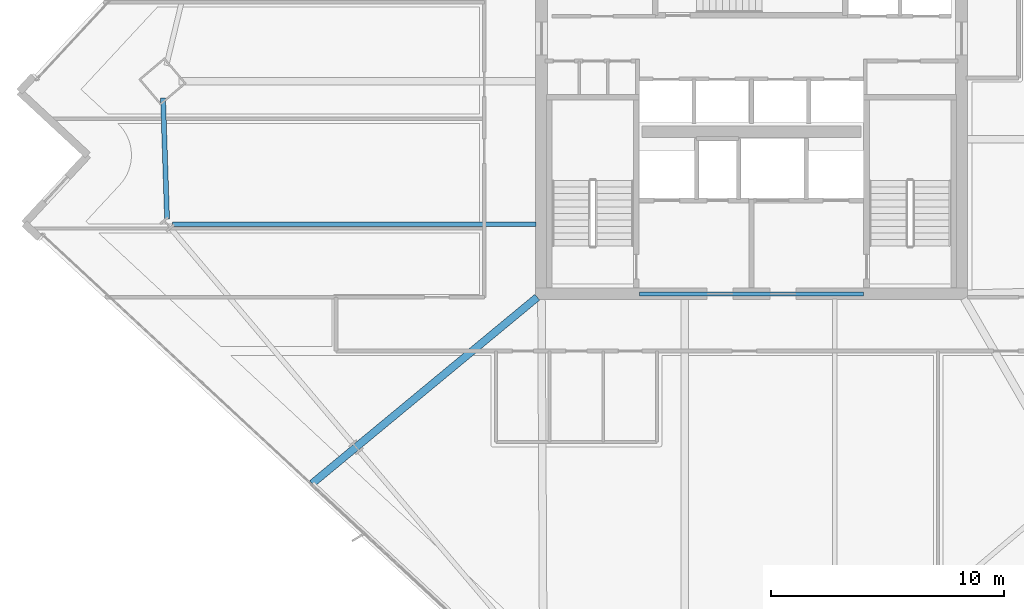
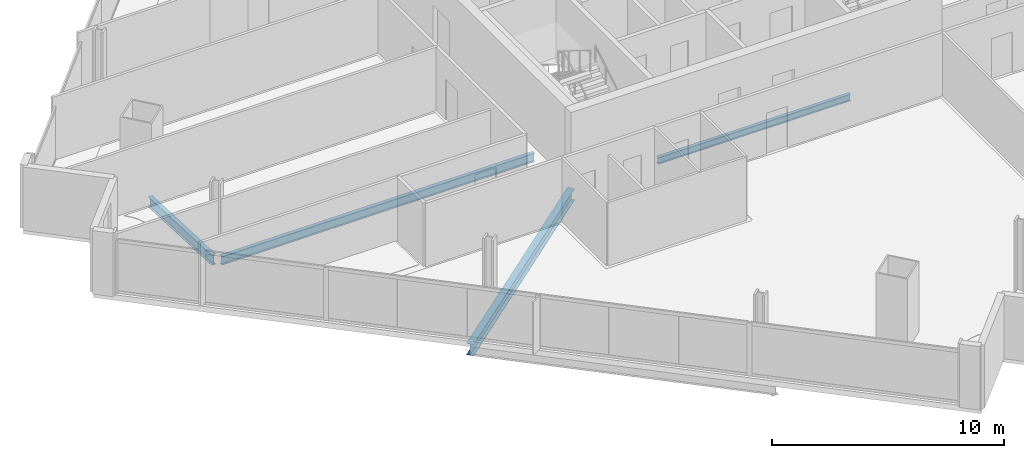
# One storey, part 5 of 32: 4 beams.
"""IFC4 building model written with IfcOpenShell, lengths in metres."""

from ifc_helpers import new_model, si_unit, direction, frame, origin, origin_2d, place, context, subcontext, project, spatial, i_section, extrude, material, material_profile, profile_set, type_object, element, save


model = new_model("IFC4")

# Units and contexts
model_context = context("Model", 3, precision=1e-05, world=origin(), true_north=direction((0.0, 1.0)))
body_context = subcontext(model_context, "Body", "Model", "MODEL_VIEW")
ifc_project = project(units=[si_unit("LENGTHUNIT", "METRE"), si_unit("AREAUNIT", "SQUARE_METRE"), si_unit("VOLUMEUNIT", "CUBIC_METRE"), si_unit("PLANEANGLEUNIT", "RADIAN"), si_unit("MASSUNIT", "GRAM", prefix="KILO")], contexts=[model_context])

# Site, building, storey
site_placement = place(None, origin())
site = spatial("IfcSite", under=ifc_project, at=site_placement, CompositionType="ELEMENT")
building_placement = place(site_placement, origin())
building = spatial("IfcBuilding", under=site, at=building_placement, Name="Haldenkirk Collegiate Tower", CompositionType="ELEMENT")
storey_placement = place(building_placement, frame((0.0, 0.0, 185.699951171875)))
storey = spatial("IfcBuildingStorey", under=building, at=storey_placement, Name="L46", CompositionType="ELEMENT", Elevation=185.699951171875)

# Beams
ifc_material = material(Name="Steel ASTM A992 Grade 50", Category="steel")
ifc_material_profile_1 = material_profile(ifc_material, i_section(OverallWidth=0.324951171875, OverallDepth=0.615966796875, WebThickness=0.013916015625, FlangeThickness=0.021484375, at=origin_2d()), Name="W24X117")
ifc_profile_set_1 = profile_set([ifc_material_profile_1], Name="Steel ASTM A992 Grade 50")
beam_type_1 = type_object("IfcBeamType", Name="BM-GIRDER-W24X117", PredefinedType="BEAM", material=ifc_profile_set_1)
beam_1_placement = place(storey_placement, frame((17.17333984375, 9.868896484375, -0.597900390625), z_axis=(0.770437569665, 0.637515451773, 0.0), x_axis=(-0.637515451773, 0.770437569665, 0.0)))
element("IfcBeam", 1, at=beam_1_placement, inside=storey, type_object=beam_type_1, Name="L46 primary floor girder 15", PredefinedType="BEAM", context=body_context, shape_type="SweptSolid", body=[
    extrude(i_section(OverallWidth=0.324951171875, OverallDepth=0.615966796875, WebThickness=0.013916015625, FlangeThickness=0.021484375, at=origin_2d()), origin(), (0.0, 0.0, 1.0), 12.524658203125),
])
ifc_material_profile_2 = material_profile(ifc_material, i_section(OverallWidth=0.18994140625, OverallDepth=0.45703125, WebThickness=0.009033203125, FlangeThickness=0.014404296875, at=origin_2d()), Name="W18X50")
ifc_profile_set_2 = profile_set([ifc_material_profile_2], Name="Steel ASTM A992 Grade 50")
beam_type_2 = type_object("IfcBeamType", Name="BM-JOIST-W18X50", PredefinedType="JOIST", material=ifc_profile_set_2)
beam_2_placement = place(storey_placement, frame((11.1923828125, 20.9833984375, -0.5185546875), z_axis=(1.0, 0.0, 0.0), x_axis=(0.0, 1.0, 0.0)))
element("IfcBeam", 2, at=beam_2_placement, inside=storey, type_object=beam_type_2, Name="L46 composite floor joist 14", PredefinedType="JOIST", context=body_context, shape_type="SweptSolid", body=[
    extrude(i_section(OverallWidth=0.18994140625, OverallDepth=0.45703125, WebThickness=0.009033203125, FlangeThickness=0.014404296875, at=origin_2d()), origin(), (0.0, 0.0, 1.0), 15.57763671875),
])
ifc_material_profile_3 = material_profile(ifc_material, i_section(OverallWidth=0.1708984375, OverallDepth=0.35595703125, WebThickness=0.007080078125, FlangeThickness=0.01171875, at=origin_2d()), Name="W14X34")
ifc_profile_set_3 = profile_set([ifc_material_profile_3], Name="Steel ASTM A992 Grade 50")
beam_type_3 = type_object("IfcBeamType", Name="BM-LINTEL-W14X34", PredefinedType="LINTEL", material=ifc_profile_set_3)
beam_3_placement = place(storey_placement, frame((31.199951171875, 18.0, -0.468017578125), z_axis=(1.0, 0.0, 0.0), x_axis=(0.0, 1.0, 0.0)))
element("IfcBeam", 3, at=beam_3_placement, inside=storey, type_object=beam_type_3, Name="L46 south core coupling lintel", PredefinedType="LINTEL", context=body_context, shape_type="SweptSolid", body=[
    extrude(i_section(OverallWidth=0.1708984375, OverallDepth=0.35595703125, WebThickness=0.007080078125, FlangeThickness=0.01171875, at=origin_2d()), origin(), (0.0, 0.0, 1.0), 9.60009765625),
])
ifc_material_profile_4 = material_profile(ifc_material, i_section(OverallWidth=0.2119140625, OverallDepth=0.5439453125, WebThickness=0.01318359375, FlangeThickness=0.021240234375, at=origin_2d()), Name="W21X83")
ifc_profile_set_4 = profile_set([ifc_material_profile_4], Name="Steel ASTM A992 Grade 50")
beam_type_4 = type_object("IfcBeamType", Name="BM-SPANDREL-W21X83", PredefinedType="SPANDREL", material=ifc_profile_set_4)
beam_4_placement = place(storey_placement, frame((10.7841796875, 26.399169921875, -0.56201171875), z_axis=(0.033072037576, -0.999452970545, 0.0), x_axis=(0.999452970545, 0.033072037576, 0.0)))
element("IfcBeam", 4, at=beam_4_placement, inside=storey, type_object=beam_type_4, Name="L46 perimeter spandrel beam 13", PredefinedType="SPANDREL", context=body_context, shape_type="SweptSolid", body=[
    extrude(i_section(OverallWidth=0.2119140625, OverallDepth=0.5439453125, WebThickness=0.01318359375, FlangeThickness=0.021240234375, at=origin_2d()), origin(), (0.0, 0.0, 1.0), 5.189697265625),
])

save(model, "model.ifc")
